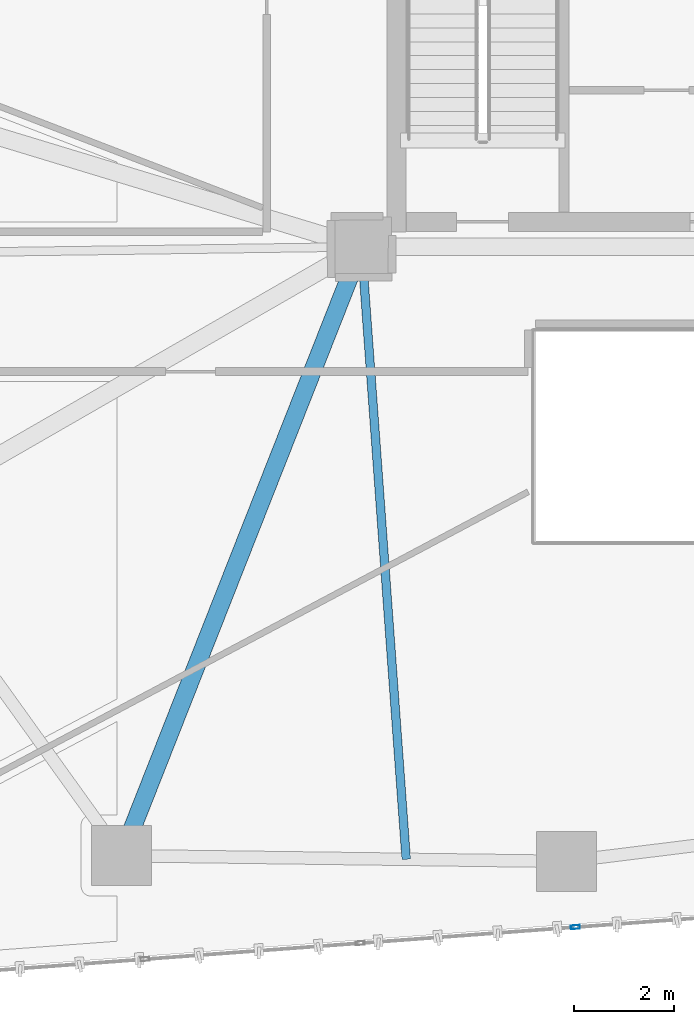
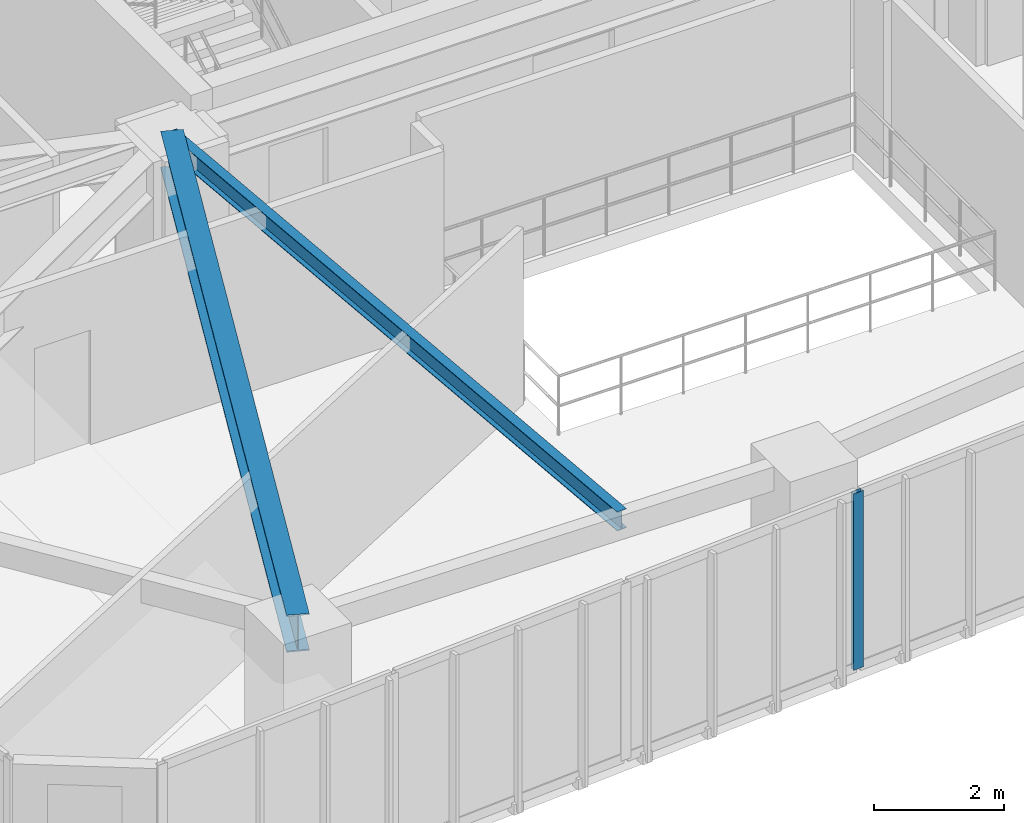
# One storey, part 5 of 23: 2 beams, 1 member, 1 element without a shape of its own.
"""IFC4 building model written with IfcOpenShell, lengths in metres."""

from ifc_helpers import new_model, si_unit, direction, frame, origin, origin_2d, place, context, subcontext, project, spatial, hollow_rectangle, i_section, extrude, source, transform, mapped, material, layer, layer_set, material_profile, profile_set, type_object, type_shapes, element, aggregate, save


model = new_model("IFC4")

# Units and contexts
model_context = context("Model", 3, precision=1e-05, world=origin(), true_north=direction((0.0, 1.0)))
body_context = subcontext(model_context, "Body", "Model", "MODEL_VIEW")
ifc_project = project(units=[si_unit("LENGTHUNIT", "METRE"), si_unit("AREAUNIT", "SQUARE_METRE"), si_unit("VOLUMEUNIT", "CUBIC_METRE"), si_unit("PLANEANGLEUNIT", "RADIAN"), si_unit("MASSUNIT", "GRAM", prefix="KILO")], contexts=[model_context])

# Site, building, storey
site_placement = place(None, origin())
site = spatial("IfcSite", under=ifc_project, at=site_placement, CompositionType="ELEMENT")
building_placement = place(site_placement, origin())
building = spatial("IfcBuilding", under=site, at=building_placement, Name="Talar Marvaseh", CompositionType="ELEMENT")
storey_placement = place(building_placement, frame((0.0, 0.0, 103.800048828125)))
storey = spatial("IfcBuildingStorey", under=building, at=storey_placement, Name="L26", CompositionType="ELEMENT", Elevation=103.800048828125)

# Beams
ifc_material_1 = material(Name="Steel S355", Category="steel")
ifc_material_profile_1 = material_profile(ifc_material_1, i_section(OverallWidth=0.35498046875, OverallDepth=0.695068359375, WebThickness=0.015380859375, FlangeThickness=0.02490234375, at=origin_2d()), Name="W690x217")
ifc_profile_set_1 = profile_set([ifc_material_profile_1], Name="Steel S355")
beam_type_1 = type_object("IfcBeamType", Name="Zone 2 Radial Floor Girder W690x217", PredefinedType="BEAM", material=ifc_profile_set_1)
beam_1_placement = place(storey_placement, frame((13.89111328125, 13.299072265625, 2.96240234375), z_axis=(0.366683712786, 0.930345664136, 0.0), x_axis=(-0.930345664136, 0.366683712786, 0.0)))
element("IfcBeam", 1, at=beam_1_placement, inside=storey, type_object=beam_type_1, Name="L26 Zone 2 Radial Floor Girder W690x217", PredefinedType="BEAM", context=body_context, shape_type="SweptSolid", body=[
    extrude(i_section(OverallWidth=0.35498046875, OverallDepth=0.695068359375, WebThickness=0.015380859375, FlangeThickness=0.02490234375, at=origin_2d()), origin(), (0.0, 0.0, 1.0), 13.114501953125),
])
ifc_material_profile_2 = material_profile(ifc_material_1, i_section(OverallWidth=0.172119140625, OverallDepth=0.35791015625, WebThickness=0.0078125, FlangeThickness=0.01318359375, at=origin_2d()), Name="W360x57")
ifc_profile_set_2 = profile_set([ifc_material_profile_2], Name="Steel S355")
beam_type_2 = type_object("IfcBeamType", Name="Zone 2 Secondary Floor Joist W360x57", PredefinedType="JOIST", material=ifc_profile_set_2)
beam_2_placement = place(storey_placement, frame((19.595947265625, 13.224853515625, 3.130859375), z_axis=(-0.07279902415, 0.997346630857, 0.0), x_axis=(-0.997346630857, -0.07279902415, 0.0)))
element("IfcBeam", 2, at=beam_2_placement, inside=storey, type_object=beam_type_2, Name="L26 Zone 2 Secondary Floor Joist W360x57", PredefinedType="JOIST", context=body_context, shape_type="SweptSolid", body=[
    extrude(i_section(OverallWidth=0.172119140625, OverallDepth=0.35791015625, WebThickness=0.0078125, FlangeThickness=0.01318359375, at=origin_2d()), origin(), (0.0, 0.0, 1.0), 12.307861328125),
])

# Curtain wall, member
ifc_material_2 = material(Name="Architectural Aluminium", Category="aluminium")
ifc_layer = layer(ifc_material_2, 0.199951171875)
ifc_layer_set = layer_set([ifc_layer], Name="Architectural Aluminium")
curtain_wall_type = type_object("IfcCurtainWallType", Name="Unitised Acoustic Library Curtain Wall Z2", PredefinedType="NOTDEFINED", material=ifc_layer_set)
curtain_wall_placement = place(storey_placement, origin())
curtain_wall = element("IfcCurtainWall", 3, at=curtain_wall_placement, inside=storey, type_object=curtain_wall_type, Name="L26 Unitised Acoustic Library Curtain Wall Z2", PredefinedType="NOTDEFINED")
ifc_material_profile_3 = material_profile(ifc_material_2, hollow_rectangle(XDim=0.074951171875, YDim=0.179931640625, WallThickness=0.0048828125, at=origin_2d()), Name="RHS180x75x5")
ifc_profile_set_3 = profile_set([ifc_material_profile_3], Name="Architectural Aluminium")
member_type = type_object("IfcMemberType", Name="Unitised Curtain Wall Standard Mullion RHS180x75x5", PredefinedType="MULLION", material=ifc_profile_set_3)
shared_shape = source(origin(), body_context, "Body", "SweptSolid", [
    extrude(hollow_rectangle(XDim=0.074951171875, YDim=0.179931640625, WallThickness=0.0048828125, at=origin_2d()), origin(), (0.0, 0.0, 1.0), 3.31005859375),
])
type_shapes(member_type, [shared_shape])
member_placement = place(storey_placement, frame((22.98583984375, 11.866455078125, 0.0), z_axis=(0.0, 0.0, 1.0), x_axis=(0.07426324175, -0.997238672999, 0.0)))
member = element("IfcMember", 4, at=member_placement, type_object=member_type, Name="CW-Z2 mullion 3", PredefinedType="MULLION", context=body_context, shape_type="MappedRepresentation", body=[
    mapped(shared_shape, transform((0.0, 0.0, 0.0), x_axis=(1.0, 0.0, 0.0), y_axis=(0.0, 1.0, 0.0), z_axis=(0.0, 0.0, 1.0), scale=1.0)),
])
aggregate(curtain_wall, [member])

save(model, "model.ifc")
